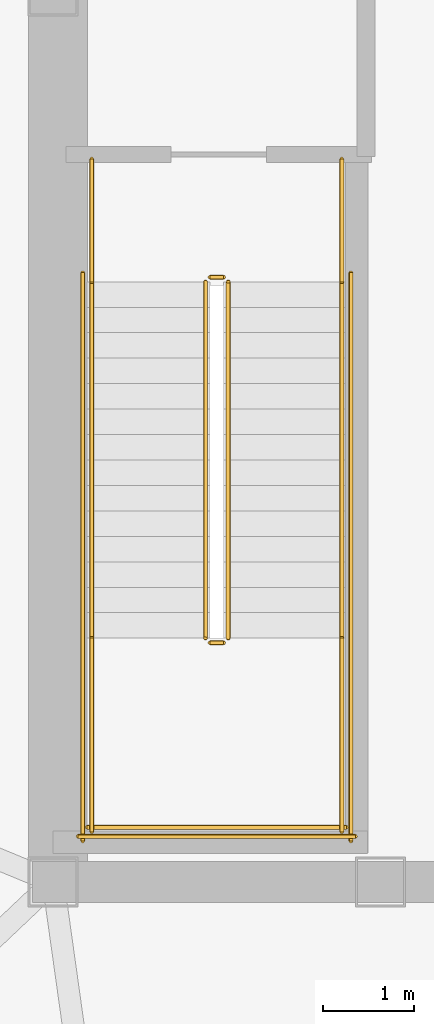
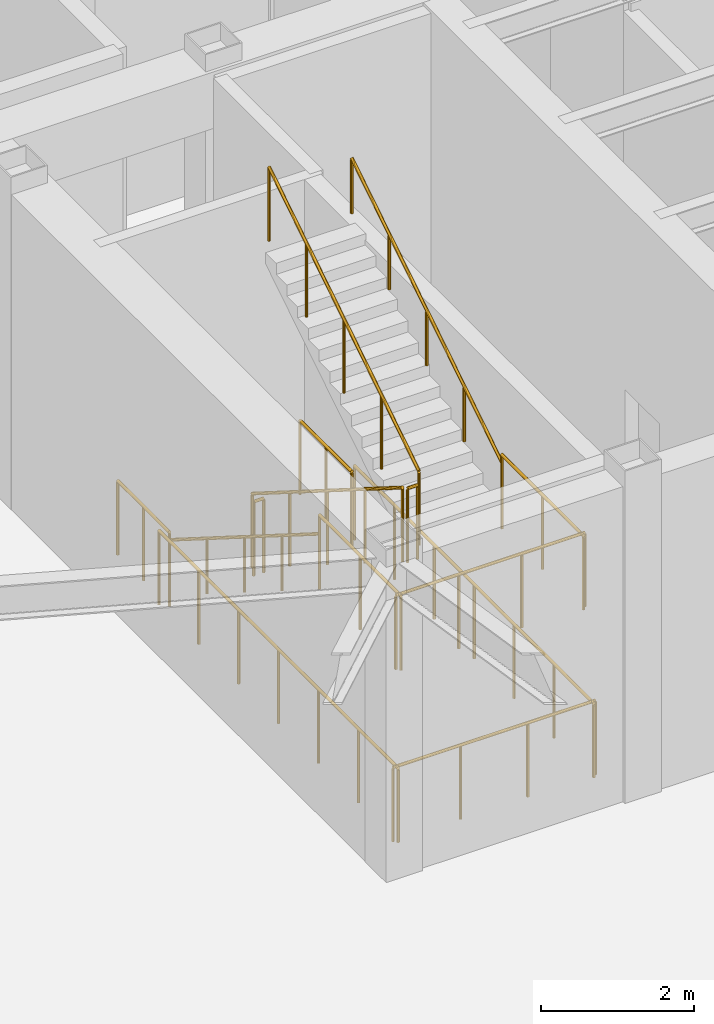
# One storey, part 22 of 23: 14 railings.
"""IFC4 building model written with IfcOpenShell, lengths in metres."""

from ifc_helpers import new_model, si_unit, direction, frame, origin, origin_2d, place, context, subcontext, project, spatial, circle, extrude, material, type_object, element, save


model = new_model("IFC4")

# Units and contexts
model_context = context("Model", 3, precision=1e-05, world=origin(), true_north=direction((0.0, 1.0)))
body_context = subcontext(model_context, "Body", "Model", "MODEL_VIEW")
ifc_project = project(units=[si_unit("LENGTHUNIT", "METRE"), si_unit("AREAUNIT", "SQUARE_METRE"), si_unit("VOLUMEUNIT", "CUBIC_METRE"), si_unit("PLANEANGLEUNIT", "RADIAN"), si_unit("MASSUNIT", "GRAM", prefix="KILO")], contexts=[model_context])

# Site, building, storey
site_placement = place(None, origin())
site = spatial("IfcSite", under=ifc_project, at=site_placement, CompositionType="ELEMENT")
building_placement = place(site_placement, origin())
building = spatial("IfcBuilding", under=site, at=building_placement, Name="Voryun Gate Residences", CompositionType="ELEMENT")
storey_placement = place(building_placement, frame((0.0, 0.0, 321.300048828125)))
storey = spatial("IfcBuildingStorey", under=building, at=storey_placement, Name="L79", CompositionType="ELEMENT", Elevation=321.300048828125)

# Railings
ifc_material_1 = material(Name="Painted steel", Category="steel")
railing_type_1 = type_object("IfcRailingType", Name="RAIL_STAIR_GUARD_1200", PredefinedType="GUARDRAIL", material=ifc_material_1)
railing_1_placement = place(storey_placement, frame((-17.52490234375, -0.800048828125, 0.176513671875)))
element("IfcRailing", 1, at=railing_1_placement, inside=storey, type_object=railing_type_1, Name="L79 ST-W1 stair guard 1", PredefinedType="GUARDRAIL", context=body_context, shape_type="SweptSolid", body=[
    extrude(circle(Radius=0.02392578125, at=origin_2d()), frame((0.0, 0.0, 1.17578125), z_axis=(0.0, -0.845717874625, 0.533630280756), x_axis=(1.0, 0.0, 0.0)), (0.0, 0.0, 1.0), 4.635009765625),
    extrude(circle(Radius=0.02099609375, at=origin_2d()), origin(), (0.0, 0.0, 1.0), 1.15185546875),
    extrude(circle(Radius=0.02099609375, at=origin_2d()), frame((0.0, -0.97998046875, 0.618408203125)), (0.0, 0.0, 1.0), 1.15185546875),
    extrude(circle(Radius=0.02099609375, at=origin_2d()), frame((0.0, -1.9599609375, 1.23681640625)), (0.0, 0.0, 1.0), 1.15185546875),
    extrude(circle(Radius=0.02099609375, at=origin_2d()), frame((0.0, -2.93994140625, 1.85498046875)), (0.0, 0.0, 1.0), 1.15185546875),
    extrude(circle(Radius=0.02099609375, at=origin_2d()), frame((0.0, -3.919921875, 2.473388671875)), (0.0, 0.0, 1.0), 1.15185546875),
])
railing_2_placement = place(storey_placement, frame((-17.47509765625, -4.77001953125, 2.64990234375)))
element("IfcRailing", 2, at=railing_2_placement, inside=storey, type_object=railing_type_1, Name="L79 ST-W1 stair guard 2", PredefinedType="GUARDRAIL", context=body_context, shape_type="SweptSolid", body=[
    extrude(circle(Radius=0.02392578125, at=origin_2d()), frame((0.0, 0.0, 1.17578125), z_axis=(1.0, 0.0, 0.0), x_axis=(0.0, 1.0, 0.0)), (0.0, 0.0, 1.0), 0.150146484375),
    extrude(circle(Radius=0.02099609375, at=origin_2d()), origin(), (0.0, 0.0, 1.0), 1.15185546875),
    extrude(circle(Radius=0.02099609375, at=origin_2d()), frame((0.150146484375, 0.0, 0.0)), (0.0, 0.0, 1.0), 1.15185546875),
])
for number, where, name in (
    (3, (-18.77490234375, -4.719970703125, 2.64990234375), "L79 ST-W1 stair guard 3"),
    (4, (-16.02490234375, -4.719970703125, 2.64990234375), "L79 ST-W1 stair guard 4"),
):
    element("IfcRailing", number, at=place(storey_placement, frame(where)), inside=storey, type_object=railing_type_1, Name=name, PredefinedType="GUARDRAIL", context=body_context, shape_type="SweptSolid", body=[
        extrude(circle(Radius=0.02392578125, at=origin_2d()), frame((0.0, 0.0, 1.17578125), z_axis=(0.0, -1.0, 0.0), x_axis=(1.0, 0.0, 0.0)), (0.0, 0.0, 1.0), 2.130126953125),
        extrude(circle(Radius=0.02099609375, at=origin_2d()), origin(), (0.0, 0.0, 1.0), 1.15185546875),
        extrude(circle(Radius=0.02099609375, at=origin_2d()), frame((0.0, -1.06494140625, 0.0)), (0.0, 0.0, 1.0), 1.15185546875),
        extrude(circle(Radius=0.02099609375, at=origin_2d()), frame((0.0, -2.130126953125, 0.0)), (0.0, 0.0, 1.0), 1.15185546875),
    ])
railing_3_placement = place(storey_placement, frame((-18.824951171875, -6.800048828125, 2.64990234375)))
element("IfcRailing", 5, at=railing_3_placement, inside=storey, type_object=railing_type_1, Name="L79 ST-W1 stair guard 5", PredefinedType="GUARDRAIL", context=body_context, shape_type="SweptSolid", body=[
    extrude(circle(Radius=0.02392578125, at=origin_2d()), frame((0.0, 0.0, 1.17578125), z_axis=(1.0, 0.0, 0.0), x_axis=(0.0, 1.0, 0.0)), (0.0, 0.0, 1.0), 2.849853515625),
    extrude(circle(Radius=0.02099609375, at=origin_2d()), origin(), (0.0, 0.0, 1.0), 1.15185546875),
    extrude(circle(Radius=0.02099609375, at=origin_2d()), frame((0.949951171875, 0.0, 0.0)), (0.0, 0.0, 1.0), 1.15185546875),
    extrude(circle(Radius=0.02099609375, at=origin_2d()), frame((1.89990234375, 0.0, 0.0)), (0.0, 0.0, 1.0), 1.15185546875),
    extrude(circle(Radius=0.02099609375, at=origin_2d()), frame((2.849853515625, 0.0, 0.0)), (0.0, 0.0, 1.0), 1.15185546875),
])
railing_4_placement = place(storey_placement, frame((-17.27490234375, -4.719970703125, 2.82666015625)))
element("IfcRailing", 6, at=railing_4_placement, inside=storey, type_object=railing_type_1, Name="L79 ST-W1 stair guard 6", PredefinedType="GUARDRAIL", context=body_context, shape_type="SweptSolid", body=[
    extrude(circle(Radius=0.02392578125, at=origin_2d()), frame((0.0, 0.0, 1.17578125), z_axis=(0.0, 0.845717874625, 0.533630280756), x_axis=(-1.0, 0.0, 0.0)), (0.0, 0.0, 1.0), 4.635009765625),
    extrude(circle(Radius=0.02099609375, at=origin_2d()), origin(), (0.0, 0.0, 1.0), 1.15185546875),
    extrude(circle(Radius=0.02099609375, at=origin_2d()), frame((0.0, 0.97998046875, 0.618408203125)), (0.0, 0.0, 1.0), 1.15185546875),
    extrude(circle(Radius=0.02099609375, at=origin_2d()), frame((0.0, 1.9599609375, 1.23681640625)), (0.0, 0.0, 1.0), 1.15185546875),
    extrude(circle(Radius=0.02099609375, at=origin_2d()), frame((0.0, 2.93994140625, 1.85498046875)), (0.0, 0.0, 1.0), 1.15185546875),
    extrude(circle(Radius=0.02099609375, at=origin_2d()), frame((0.0, 3.919921875, 2.473388671875)), (0.0, 0.0, 1.0), 1.15185546875),
])
railing_5_placement = place(storey_placement, frame((-17.47509765625, -0.75, 0.0)))
element("IfcRailing", 7, at=railing_5_placement, inside=storey, type_object=railing_type_1, Name="L79 ST-W1 stair guard 7", PredefinedType="GUARDRAIL", context=body_context, shape_type="SweptSolid", body=[
    extrude(circle(Radius=0.02392578125, at=origin_2d()), frame((0.0, 0.0, 1.17578125), z_axis=(1.0, 0.0, 0.0), x_axis=(0.0, 1.0, 0.0)), (0.0, 0.0, 1.0), 0.150146484375),
    extrude(circle(Radius=0.02099609375, at=origin_2d()), origin(), (0.0, 0.0, 1.0), 1.15185546875),
    extrude(circle(Radius=0.02099609375, at=origin_2d()), frame((0.150146484375, 0.0, 0.0)), (0.0, 0.0, 1.0), 1.15185546875),
])
for number, where, name in (
    (8, (-18.77490234375, 0.550048828125, 0.0), "L79 ST-W1 stair guard 8"),
    (9, (-16.02490234375, 0.550048828125, 0.0), "L79 ST-W1 stair guard 9"),
):
    element("IfcRailing", number, at=place(storey_placement, frame(where)), inside=storey, type_object=railing_type_1, Name=name, PredefinedType="GUARDRAIL", context=body_context, shape_type="SweptSolid", body=[
        extrude(circle(Radius=0.02392578125, at=origin_2d()), frame((0.0, 0.0, 1.17578125), z_axis=(0.0, -1.0, 0.0), x_axis=(1.0, 0.0, 0.0)), (0.0, 0.0, 1.0), 1.35009765625),
        extrude(circle(Radius=0.02099609375, at=origin_2d()), origin(), (0.0, 0.0, 1.0), 1.15185546875),
        extrude(circle(Radius=0.02099609375, at=origin_2d()), frame((0.0, -0.675048828125, 0.0)), (0.0, 0.0, 1.0), 1.15185546875),
        extrude(circle(Radius=0.02099609375, at=origin_2d()), frame((0.0, -1.35009765625, 0.0)), (0.0, 0.0, 1.0), 1.15185546875),
    ])
for number, where, name in (
    (10, (-18.875, -0.699951171875, 0.0), "L79 ST-W1 stair guard 10"),
    (11, (-15.925048828125, -0.699951171875, 0.0), "L79 ST-W1 stair guard 11"),
):
    element("IfcRailing", number, at=place(storey_placement, frame(where)), inside=storey, type_object=railing_type_1, Name=name, PredefinedType="GUARDRAIL", context=body_context, shape_type="SweptSolid", body=[
        extrude(circle(Radius=0.02392578125, at=origin_2d()), frame((0.0, 0.0, 1.17578125), z_axis=(0.0, -1.0, 0.0), x_axis=(1.0, 0.0, 0.0)), (0.0, 0.0, 1.0), 6.25),
        extrude(circle(Radius=0.02099609375, at=origin_2d()), origin(), (0.0, 0.0, 1.0), 1.15185546875),
        extrude(circle(Radius=0.02099609375, at=origin_2d()), frame((0.0, -1.041748046875, 0.0)), (0.0, 0.0, 1.0), 1.15185546875),
        extrude(circle(Radius=0.02099609375, at=origin_2d()), frame((0.0, -2.083251953125, 0.0)), (0.0, 0.0, 1.0), 1.15185546875),
        extrude(circle(Radius=0.02099609375, at=origin_2d()), frame((0.0, -3.125, 0.0)), (0.0, 0.0, 1.0), 1.15185546875),
        extrude(circle(Radius=0.02099609375, at=origin_2d()), frame((0.0, -4.166748046875, 0.0)), (0.0, 0.0, 1.0), 1.15185546875),
        extrude(circle(Radius=0.02099609375, at=origin_2d()), frame((0.0, -5.208251953125, 0.0)), (0.0, 0.0, 1.0), 1.15185546875),
        extrude(circle(Radius=0.02099609375, at=origin_2d()), frame((0.0, -6.25, 0.0)), (0.0, 0.0, 1.0), 1.15185546875),
    ])
railing_6_placement = place(storey_placement, frame((-18.925048828125, -6.89990234375, 0.0)))
element("IfcRailing", 12, at=railing_6_placement, inside=storey, type_object=railing_type_1, Name="L79 ST-W1 stair guard 12", PredefinedType="GUARDRAIL", context=body_context, shape_type="SweptSolid", body=[
    extrude(circle(Radius=0.02392578125, at=origin_2d()), frame((0.0, 0.0, 1.17578125), z_axis=(1.0, 0.0, 0.0), x_axis=(0.0, 1.0, 0.0)), (0.0, 0.0, 1.0), 3.050048828125),
    extrude(circle(Radius=0.02099609375, at=origin_2d()), origin(), (0.0, 0.0, 1.0), 1.15185546875),
    extrude(circle(Radius=0.02099609375, at=origin_2d()), frame((1.0166015625, 0.0, 0.0)), (0.0, 0.0, 1.0), 1.15185546875),
    extrude(circle(Radius=0.02099609375, at=origin_2d()), frame((2.033447265625, 0.0, 0.0)), (0.0, 0.0, 1.0), 1.15185546875),
    extrude(circle(Radius=0.02099609375, at=origin_2d()), frame((3.050048828125, 0.0, 0.0)), (0.0, 0.0, 1.0), 1.15185546875),
])
ifc_material_2 = material(Name="Painted steel", Category="steel")
railing_type_2 = type_object("IfcRailingType", Name="RAIL_STAIR_HANDRAIL_900", PredefinedType="HANDRAIL", material=ifc_material_2)
railing_7_placement = place(storey_placement, frame((-18.77490234375, -0.800048828125, 0.176513671875)))
element("IfcRailing", 13, at=railing_7_placement, inside=storey, type_object=railing_type_2, Name="L79 ST-W1 stair handrail 1", PredefinedType="HANDRAIL", context=body_context, shape_type="SweptSolid", body=[
    extrude(circle(Radius=0.02392578125, at=origin_2d()), frame((0.0, 0.0, 0.8759765625), z_axis=(0.0, -0.845717874625, 0.533630280756), x_axis=(1.0, 0.0, 0.0)), (0.0, 0.0, 1.0), 4.635009765625),
    extrude(circle(Radius=0.02099609375, at=origin_2d()), origin(), (0.0, 0.0, 1.0), 0.851806640625),
    extrude(circle(Radius=0.02099609375, at=origin_2d()), frame((0.0, -0.97998046875, 0.618408203125)), (0.0, 0.0, 1.0), 0.851806640625),
    extrude(circle(Radius=0.02099609375, at=origin_2d()), frame((0.0, -1.9599609375, 1.23681640625)), (0.0, 0.0, 1.0), 0.851806640625),
    extrude(circle(Radius=0.02099609375, at=origin_2d()), frame((0.0, -2.93994140625, 1.85498046875)), (0.0, 0.0, 1.0), 0.851806640625),
    extrude(circle(Radius=0.02099609375, at=origin_2d()), frame((0.0, -3.919921875, 2.473388671875)), (0.0, 0.0, 1.0), 0.851806640625),
])
railing_8_placement = place(storey_placement, frame((-16.02490234375, -4.719970703125, 2.82666015625)))
element("IfcRailing", 14, at=railing_8_placement, inside=storey, type_object=railing_type_2, Name="L79 ST-W1 stair handrail 2", PredefinedType="HANDRAIL", context=body_context, shape_type="SweptSolid", body=[
    extrude(circle(Radius=0.02392578125, at=origin_2d()), frame((0.0, 0.0, 0.8759765625), z_axis=(0.0, 0.845717874625, 0.533630280756), x_axis=(-1.0, 0.0, 0.0)), (0.0, 0.0, 1.0), 4.635009765625),
    extrude(circle(Radius=0.02099609375, at=origin_2d()), origin(), (0.0, 0.0, 1.0), 0.851806640625),
    extrude(circle(Radius=0.02099609375, at=origin_2d()), frame((0.0, 0.97998046875, 0.618408203125)), (0.0, 0.0, 1.0), 0.851806640625),
    extrude(circle(Radius=0.02099609375, at=origin_2d()), frame((0.0, 1.9599609375, 1.23681640625)), (0.0, 0.0, 1.0), 0.851806640625),
    extrude(circle(Radius=0.02099609375, at=origin_2d()), frame((0.0, 2.93994140625, 1.85498046875)), (0.0, 0.0, 1.0), 0.851806640625),
    extrude(circle(Radius=0.02099609375, at=origin_2d()), frame((0.0, 3.919921875, 2.473388671875)), (0.0, 0.0, 1.0), 0.851806640625),
])

save(model, "model.ifc")
